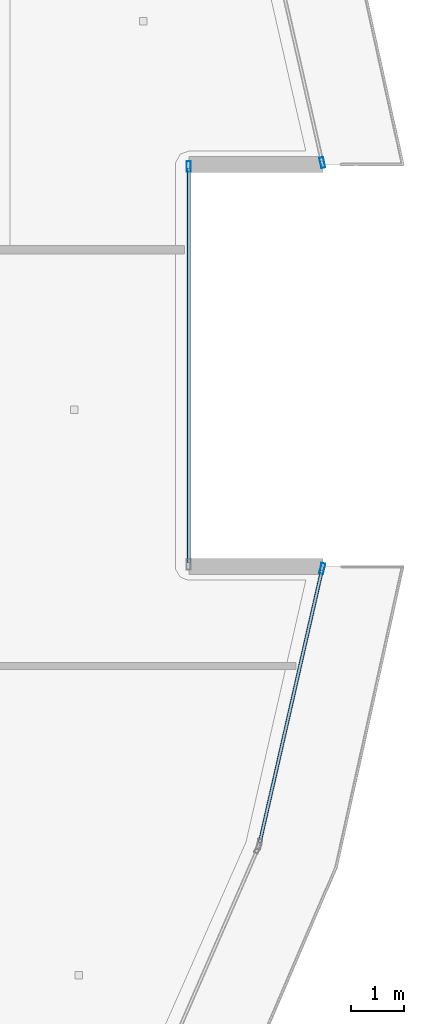
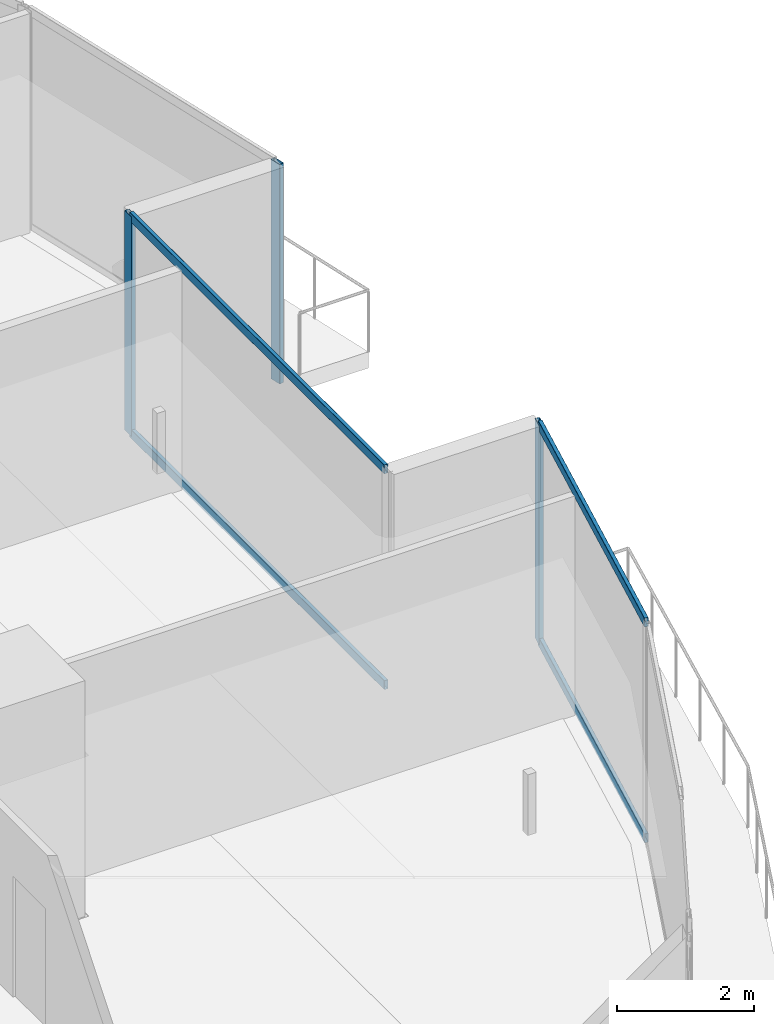
# One storey, part 13 of 34: 7 members, 3 elements without a shape of their own.
"""IFC4 building model written with IfcOpenShell, lengths in metres."""

from ifc_helpers import new_model, si_unit, direction, frame, origin, origin_2d, place, context, subcontext, project, spatial, hollow_rectangle, extrude, material, layer, layer_set, material_profile, profile_set, type_object, element, aggregate, save


model = new_model("IFC4")

# Units and contexts
model_context = context("Model", 3, precision=1e-05, world=origin(), true_north=direction((0.0, 1.0)))
body_context = subcontext(model_context, "Body", "Model", "MODEL_VIEW")
ifc_project = project(units=[si_unit("LENGTHUNIT", "METRE"), si_unit("AREAUNIT", "SQUARE_METRE"), si_unit("VOLUMEUNIT", "CUBIC_METRE"), si_unit("PLANEANGLEUNIT", "RADIAN"), si_unit("MASSUNIT", "GRAM", prefix="KILO")], contexts=[model_context])

# Site, building, storey
site_placement = place(None, origin())
site = spatial("IfcSite", under=ifc_project, at=site_placement, CompositionType="ELEMENT")
building_placement = place(site_placement, origin())
building = spatial("IfcBuilding", under=site, at=building_placement, Name="Qorvath Tower", CompositionType="ELEMENT")
storey_placement = place(building_placement, frame((0.0, 0.0, 276.60009765625)))
storey = spatial("IfcBuildingStorey", under=building, at=storey_placement, Name="L64", CompositionType="ELEMENT", Elevation=276.60009765625)

# Curtain wall, member
ifc_material_1 = material(Name="Anodised aluminium and triple low-E glass", Category="aluminium")
ifc_layer = layer(ifc_material_1, 0.179931640625)
ifc_layer_set = layer_set([ifc_layer], Name="CW-SYS-4")
curtain_wall_type = type_object("IfcCurtainWallType", Name="CW-SYS-4", PredefinedType="NOTDEFINED", material=ifc_layer_set)
curtain_wall_1_placement = place(storey_placement, origin())
curtain_wall_1 = element("IfcCurtainWall", 1, at=curtain_wall_1_placement, inside=storey, type_object=curtain_wall_type, Name="Curtain Wall CW-4 CW-T-L64-7.1", PredefinedType="NOTDEFINED")
ifc_material_2 = material(Name="Anodised aluminium 6063-T6", Category="aluminium")
ifc_material_profile_1 = material_profile(ifc_material_2, hollow_rectangle(XDim=0.074951171875, YDim=0.199951171875, WallThickness=0.00390625, InnerFilletRadius=0.00390625, OuterFilletRadius=0.008056640625, at=origin_2d()), Name="CWM 200x75")
ifc_profile_set_1 = profile_set([ifc_material_profile_1], Name="Anodised aluminium 6063-T6")
member_type_1 = type_object("IfcMemberType", Name="CWM-200", PredefinedType="MULLION", material=ifc_profile_set_1)
member_1_placement = place(storey_placement, frame((-2.019775390625, -3.827392578125, 0.0), z_axis=(0.0, 0.0, 1.0), x_axis=(-0.974911683446, 0.222592024744, 0.0)))
member_1 = element("IfcMember", 2, at=member_1_placement, type_object=member_type_1, Name="CW-4 mullion 2", PredefinedType="MULLION", context=body_context, shape_type="SweptSolid", body=[
    extrude(hollow_rectangle(XDim=0.074951171875, YDim=0.199951171875, WallThickness=0.00390625, InnerFilletRadius=0.00390625, OuterFilletRadius=0.008056640625, at=origin_2d()), origin(), (0.0, 0.0, 1.0), 3.909912109375),
])

curtain_wall_2_placement = place(storey_placement, origin())
curtain_wall_2 = element("IfcCurtainWall", 3, at=curtain_wall_2_placement, inside=storey, type_object=curtain_wall_type, Name="Curtain Wall CW-4 CW-T-L64-9.1", PredefinedType="NOTDEFINED")
member_2_placement = place(storey_placement, frame((-4.538818359375, 3.75341796875, 0.0), z_axis=(0.0, 0.0, 1.0), x_axis=(-1.0, 0.0, 0.0)))
member_2 = element("IfcMember", 4, at=member_2_placement, type_object=member_type_1, Name="CW-4 mullion 2", PredefinedType="MULLION", context=body_context, shape_type="SweptSolid", body=[
    extrude(hollow_rectangle(XDim=0.074951171875, YDim=0.199951171875, WallThickness=0.00390625, InnerFilletRadius=0.00390625, OuterFilletRadius=0.008056640625, at=origin_2d()), origin(), (0.0, 0.0, 1.0), 3.909912109375),
])

curtain_wall_3_placement = place(storey_placement, origin())
curtain_wall_3 = element("IfcCurtainWall", 5, at=curtain_wall_3_placement, inside=storey, type_object=curtain_wall_type, Name="Curtain Wall CW-4 CW-T-L64-11.1", PredefinedType="NOTDEFINED")
member_3_placement = place(storey_placement, frame((-2.019775390625, 3.827392578125, 0.0), z_axis=(0.0, 0.0, 1.0), x_axis=(-0.974911683446, -0.222592024744, 0.0)))
member_3 = element("IfcMember", 6, at=member_3_placement, type_object=member_type_1, Name="CW-4 mullion 1", PredefinedType="MULLION", context=body_context, shape_type="SweptSolid", body=[
    extrude(hollow_rectangle(XDim=0.074951171875, YDim=0.199951171875, WallThickness=0.00390625, InnerFilletRadius=0.00390625, OuterFilletRadius=0.008056640625, at=origin_2d()), origin(), (0.0, 0.0, 1.0), 3.909912109375),
])
aggregate(curtain_wall_3, [member_3])

# Member
ifc_material_3 = material(Name="Anodised aluminium 6063-T6", Category="aluminium")
ifc_material_profile_2 = material_profile(ifc_material_3, hollow_rectangle(XDim=0.06494140625, YDim=0.159912109375, WallThickness=0.00341796875, InnerFilletRadius=0.00341796875, OuterFilletRadius=0.007080078125, at=origin_2d()), Name="CWT 160x65")
ifc_profile_set_2 = profile_set([ifc_material_profile_2], Name="Anodised aluminium 6063-T6")
member_type_2 = type_object("IfcMemberType", Name="CWT-160", PredefinedType="USERDEFINED", material=ifc_profile_set_2)
member_4_placement = place(storey_placement, frame((-3.19970703125, -8.994384765625, 0.032470703125), z_axis=(0.222639621709, 0.974900814876, 0.0), x_axis=(-0.974900814876, 0.222639621709, 0.0)))
member_4 = element("IfcMember", 7, at=member_4_placement, type_object=member_type_2, Name="CW-4 transom 1.1", ObjectType="TRANSOM", PredefinedType="USERDEFINED", context=body_context, shape_type="SweptSolid", body=[
    extrude(hollow_rectangle(XDim=0.06494140625, YDim=0.159912109375, WallThickness=0.00341796875, InnerFilletRadius=0.00341796875, OuterFilletRadius=0.007080078125, at=origin_2d()), origin(), (0.0, 0.0, 1.0), 5.262451171875),
])

member_5_placement = place(storey_placement, frame((-3.19970703125, -8.994384765625, 3.87744140625), z_axis=(0.222639621709, 0.974900814876, 0.0), x_axis=(-0.974900814876, 0.222639621709, 0.0)))
member_5 = element("IfcMember", 8, at=member_5_placement, type_object=member_type_2, Name="CW-4 transom 1.2", ObjectType="TRANSOM", PredefinedType="USERDEFINED", context=body_context, shape_type="SweptSolid", body=[
    extrude(hollow_rectangle(XDim=0.06494140625, YDim=0.159912109375, WallThickness=0.00341796875, InnerFilletRadius=0.00341796875, OuterFilletRadius=0.007080078125, at=origin_2d()), origin(), (0.0, 0.0, 1.0), 5.262451171875),
])

aggregate(curtain_wall_1, [member_1, member_4, member_5])

member_6_placement = place(storey_placement, frame((-4.538818359375, -3.7158203125, 0.032470703125), z_axis=(0.0, 1.0, 0.0), x_axis=(-1.0, 0.0, 0.0)))
member_6 = element("IfcMember", 9, at=member_6_placement, type_object=member_type_2, Name="CW-4 transom 1.1", ObjectType="TRANSOM", PredefinedType="USERDEFINED", context=body_context, shape_type="SweptSolid", body=[
    extrude(hollow_rectangle(XDim=0.06494140625, YDim=0.159912109375, WallThickness=0.00341796875, InnerFilletRadius=0.00341796875, OuterFilletRadius=0.007080078125, at=origin_2d()), origin(), (0.0, 0.0, 1.0), 7.431640625),
])

member_7_placement = place(storey_placement, frame((-4.538818359375, -3.7158203125, 3.87744140625), z_axis=(0.0, 1.0, 0.0), x_axis=(-1.0, 0.0, 0.0)))
member_7 = element("IfcMember", 10, at=member_7_placement, type_object=member_type_2, Name="CW-4 transom 1.2", ObjectType="TRANSOM", PredefinedType="USERDEFINED", context=body_context, shape_type="SweptSolid", body=[
    extrude(hollow_rectangle(XDim=0.06494140625, YDim=0.159912109375, WallThickness=0.00341796875, InnerFilletRadius=0.00341796875, OuterFilletRadius=0.007080078125, at=origin_2d()), origin(), (0.0, 0.0, 1.0), 7.431640625),
])

aggregate(curtain_wall_2, [member_2, member_6, member_7])

save(model, "model.ifc")
